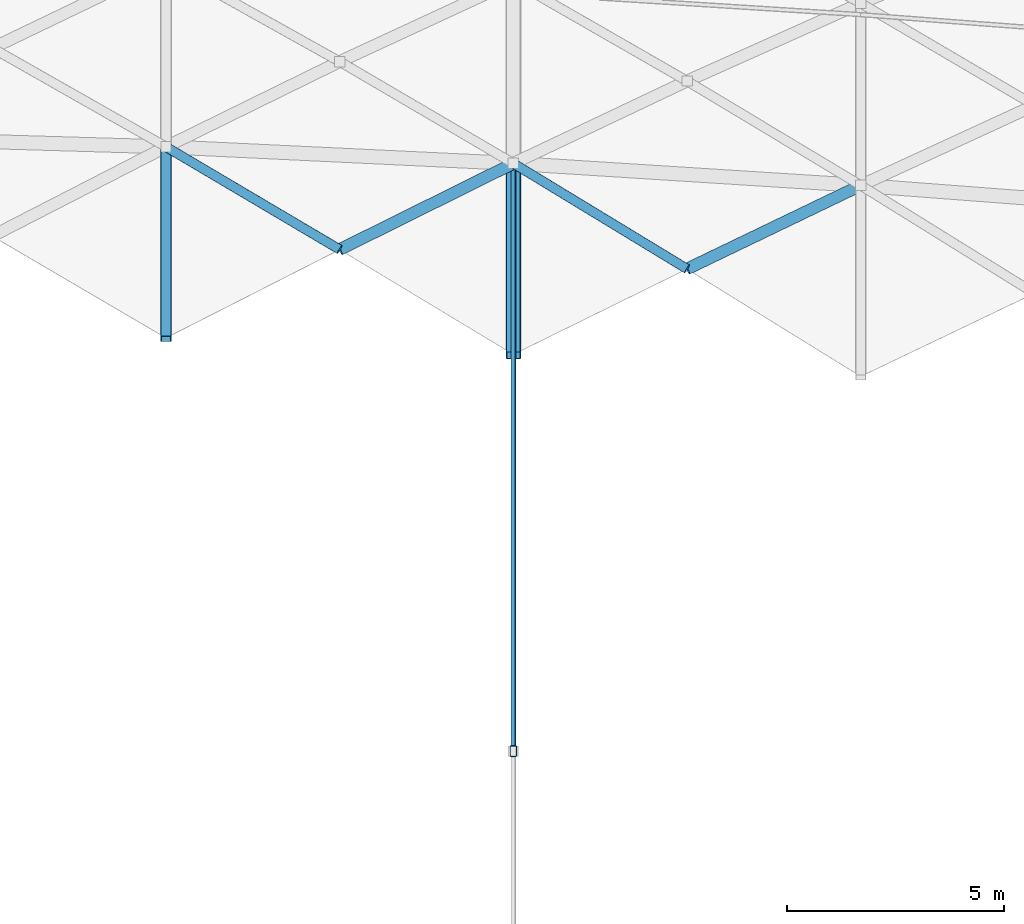
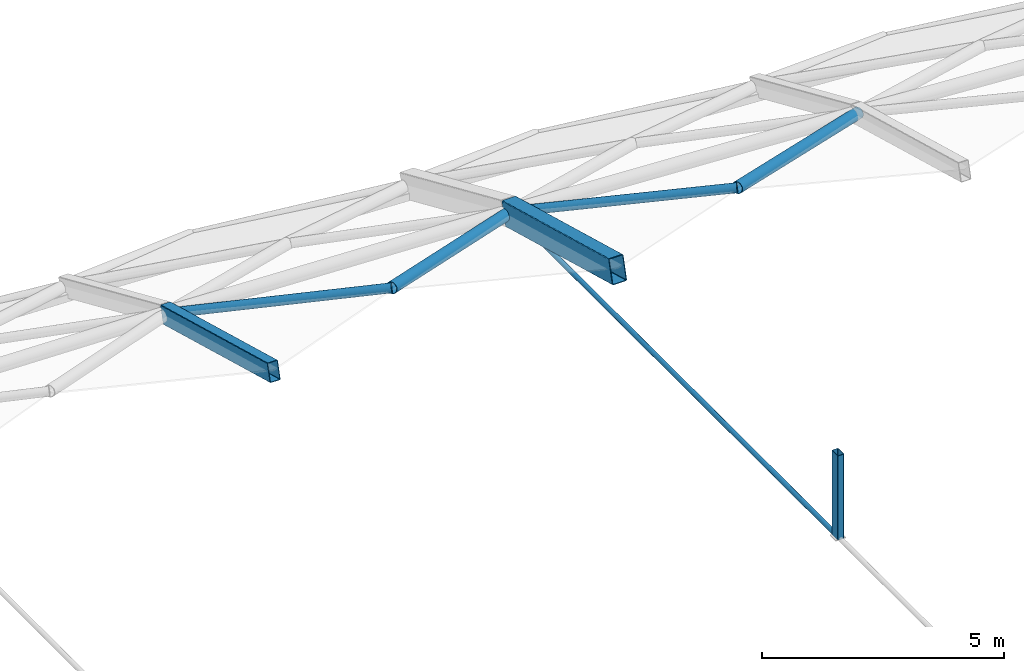
# One storey, part 12 of 54: 6 members, 2 beams.
"""IFC4 building model written with IfcOpenShell, lengths in metres."""

import ifcopenshell
import ifcopenshell.guid

model = None  # the IFC model being written
_history = None  # IfcOwnerHistory: only IFC2X3 demands one
_inside = {}  # id of a spatial element -> (the spatial element, [elements in it])
_under = {}  # id of a project, library or spatial element -> (it, [spatial elements below it])
_declared = {}  # id of a project -> (the project, [libraries it declares])
_typed = {}  # id of a type object -> (the type object, [elements of that type])
_made_of = {}  # id of a material, layer set ... -> (it, [elements and type objects made of it])


def new_model(schema):
    """Start an empty IFC model of exactly this schema.

    Asked for "IFC4X3", IfcOpenShell would pick the latest addendum, in which some entities
    have other attributes; the version numbers below select the first issue.
    IFC2X3 requires an IfcOwnerHistory on every rooted entity: one is made here for all.
    """
    global model, _history
    if schema == "IFC4X3":
        model = ifcopenshell.file(schema_version=(4, 3, 0, 0))
    else:
        model = ifcopenshell.file(schema=schema)
    _inside.clear()
    _under.clear()
    _declared.clear()
    _typed.clear()
    _made_of.clear()
    _history = None
    if model.schema == "IFC2X3":
        org = make("IfcOrganization", Name="unknown")
        user = make(
            "IfcPersonAndOrganization",
            ThePerson=make("IfcPerson", FamilyName="unknown"),
            TheOrganization=org,
        )
        app = make(
            "IfcApplication",
            ApplicationDeveloper=org,
            Version="unknown",
            ApplicationFullName="unknown",
            ApplicationIdentifier="unknown",
        )
        _history = make(
            "IfcOwnerHistory",
            OwningUser=user,
            OwningApplication=app,
            ChangeAction="ADDED",
            CreationDate=0,
        )
    return model


def make(cls, **values):
    """One entity of the class cls with the attributes given. An attribute that is None is left unset."""
    return model.create_entity(
        cls, **{name: value for name, value in values.items() if value is not None}
    )


def rooted(cls, **values):
    """An entity with a GlobalId (a new one), such as an element, a storey or a relation."""
    return make(cls, GlobalId=ifcopenshell.guid.new(), OwnerHistory=_history, **values)


def si_unit(unit_type, name, prefix=None):
    """IfcSIUnit, for example si_unit("LENGTHUNIT", "METRE", prefix="MILLI")."""
    return make("IfcSIUnit", UnitType=unit_type, Prefix=prefix, Name=name)


def assignment(units):
    """IfcUnitAssignment: the units of a project."""
    return None if units is None else make("IfcUnitAssignment", Units=units)


def point(xyz):
    """IfcCartesianPoint."""
    return None if xyz is None else make("IfcCartesianPoint", Coordinates=xyz)


def direction(xyz):
    """IfcDirection."""
    return None if xyz is None else make("IfcDirection", DirectionRatios=xyz)


def frame(location, z_axis=None, x_axis=None):
    """IfcAxis2Placement3D, a coordinate frame: its origin and axes. An axis left out is left unset."""
    return make(
        "IfcAxis2Placement3D",
        Location=point(location),
        Axis=direction(z_axis),
        RefDirection=direction(x_axis),
    )


def frame_2d(location, x_axis=None):
    """IfcAxis2Placement2D, a coordinate frame in the plane: its origin and x axis."""
    return make(
        "IfcAxis2Placement2D", Location=point(location), RefDirection=direction(x_axis)
    )


def origin():
    """The frame at (0, 0, 0) with its axes left unset."""
    return frame((0.0, 0.0, 0.0))


def origin_2d():
    """The frame at (0, 0) in the plane with its x axis left unset."""
    return frame_2d((0.0, 0.0))


def place(relative_to, where):
    """IfcLocalPlacement: puts the frame where relative to a parent placement (None: the world)."""
    return make(
        "IfcLocalPlacement", PlacementRelTo=relative_to, RelativePlacement=where
    )


def context(
    kind, dimensions, precision=None, world=None, true_north=None, identifier=None
):
    """IfcGeometricRepresentationContext, for example the 3D "Model" context."""
    return make(
        "IfcGeometricRepresentationContext",
        ContextIdentifier=identifier,
        ContextType=kind,
        CoordinateSpaceDimension=dimensions,
        Precision=precision,
        WorldCoordinateSystem=world,
        TrueNorth=true_north,
    )


def subcontext(parent, identifier, kind, view, scale=None):
    """IfcGeometricRepresentationSubContext, for example "Body" below "Model"."""
    return make(
        "IfcGeometricRepresentationSubContext",
        ContextIdentifier=identifier,
        ContextType=kind,
        ParentContext=parent,
        TargetScale=scale,
        TargetView=view,
    )


def project(units=None, contexts=None):
    """IfcProject with its units and contexts."""
    return rooted(
        "IfcProject",
        Name="project",
        RepresentationContexts=contexts,
        UnitsInContext=assignment(units),
    )


def spatial(cls, under=None, at=None, **own):
    """A site, building, storey or space (cls), placed at a placement, below another one or the project."""
    s = rooted(cls, ObjectPlacement=at, **own)
    if under is not None:
        _under.setdefault(under.id(), (under, []))[1].append(s)
    return s


def profile(cls, at=None, kind="AREA", **sizes):
    """A parametric profile (cls). Its sizes go by their IFC names, for example OverallWidth=200.0."""
    return make(cls, ProfileType=kind, Position=at, **sizes)


def hollow_rectangle(**sizes):
    """IfcRectangleHollowProfileDef."""
    return profile("IfcRectangleHollowProfileDef", **sizes)


def hollow_circle(**sizes):
    """IfcCircleHollowProfileDef."""
    return profile("IfcCircleHollowProfileDef", **sizes)


def extrude(swept, where, along, depth):
    """IfcExtrudedAreaSolid: the profile swept, set in the frame where, extruded along a direction by depth."""
    return make(
        "IfcExtrudedAreaSolid",
        SweptArea=swept,
        Position=where,
        ExtrudedDirection=direction(along),
        Depth=depth,
    )


def shape(context_of_items, identifier, shape_type, items):
    """IfcShapeRepresentation: the items that make up one representation, for example the "Body"."""
    return make(
        "IfcShapeRepresentation",
        ContextOfItems=context_of_items,
        RepresentationIdentifier=identifier,
        RepresentationType=shape_type,
        Items=items,
    )


def material(Name=None, Category=None):
    """IfcMaterial."""
    return make("IfcMaterial", Name=Name, Category=Category)


def material_profile(
    of_material, cross_section, Name=None, Category=None, Priority=None
):
    """IfcMaterialProfile: a cross section and its material."""
    return make(
        "IfcMaterialProfile",
        Name=Name,
        Material=of_material,
        Profile=cross_section,
        Priority=Priority,
        Category=Category,
    )


def profile_set(profiles, Name=None, composite=None):
    """IfcMaterialProfileSet."""
    return make(
        "IfcMaterialProfileSet",
        Name=Name,
        MaterialProfiles=profiles,
        CompositeProfile=composite,
    )


def made_of(thing, what):
    """Note that an element or type object is made of a material, layer set ...; save() writes the relation."""
    if what is not None:
        _made_of.setdefault(what.id(), (what, []))[1].append(thing)
    return thing


def type_object(cls, material=None, **own):
    """A type object (cls), such as IfcWallType, which elements share."""
    return made_of(rooted(cls, **own), material)


def element(
    cls,
    number,
    at=None,
    inside=None,
    cuts=None,
    type_object=None,
    material=None,
    context=None,
    identifier="Body",
    shape_type=None,
    held_by="IfcProductDefinitionShape",
    body=None,
    shapes=None,
    **own,
):
    """One element of the class cls, such as IfcWall. Its Tag is "e" and its number.

    at: its placement. inside: the storey or other place that contains it. cuts: it is an
    opening in that element (IfcRelVoidsElement). A single representation is given by context,
    identifier, shape_type and body (its items); several are given by shapes. held_by: the class
    of the entity that holds the representations. save() writes the other relations.
    """
    e = rooted(cls, Tag="e%d" % number, ObjectPlacement=at, **own)
    if body is not None:
        shapes = [shape(context, identifier, shape_type, body)]
    if shapes is not None:
        e.Representation = make(held_by, Representations=shapes)
    if inside is not None:
        _inside.setdefault(inside.id(), (inside, []))[1].append(e)
    if cuts is not None:
        rooted(
            "IfcRelVoidsElement", RelatingBuildingElement=cuts, RelatedOpeningElement=e
        )
    if type_object is not None:
        _typed.setdefault(type_object.id(), (type_object, []))[1].append(e)
    return made_of(e, material)


def aggregate(whole, parts):
    """IfcRelAggregates: a whole, such as a stair, and the parts it consists of."""
    return rooted("IfcRelAggregates", RelatingObject=whole, RelatedObjects=parts)


def save(model, path):
    """Write the relations noted so far, then the file.

    IfcRelAggregates (storeys below a building ...), IfcRelContainedInSpatialStructure (elements
    in a storey), IfcRelDefinesByType, IfcRelAssociatesMaterial and IfcRelDeclares: one each for
    every whole, place, type object, material and project.
    """
    for whole, parts in _under.values():
        aggregate(whole, parts)
    for where, things in _inside.values():
        rooted(
            "IfcRelContainedInSpatialStructure",
            RelatedElements=things,
            RelatingStructure=where,
        )
    for kind, things in _typed.values():
        rooted("IfcRelDefinesByType", RelatedObjects=things, RelatingType=kind)
    for what, things in _made_of.values():
        rooted("IfcRelAssociatesMaterial", RelatedObjects=things, RelatingMaterial=what)
    for by, libraries in _declared.values():
        rooted("IfcRelDeclares", RelatingContext=by, RelatedDefinitions=libraries)
    model.write(path)


model = new_model("IFC4")

# Units and contexts
model_context = context("Model", 3, precision=1e-05, world=origin(), true_north=direction((0.0, 1.0)))
body_context = subcontext(model_context, "Body", "Model", "MODEL_VIEW")
ifc_project = project(units=[si_unit("LENGTHUNIT", "METRE"), si_unit("AREAUNIT", "SQUARE_METRE"), si_unit("VOLUMEUNIT", "CUBIC_METRE"), si_unit("PLANEANGLEUNIT", "RADIAN"), si_unit("MASSUNIT", "GRAM", prefix="KILO")], contexts=[model_context])

# Site, building, storey
site_placement = place(None, origin())
site = spatial("IfcSite", under=ifc_project, at=site_placement, CompositionType="ELEMENT")
building_placement = place(site_placement, origin())
building = spatial("IfcBuilding", under=site, at=building_placement, Name="Kenh Van Central Station", CompositionType="ELEMENT")
storey_placement = place(building_placement, frame((0.0, 0.0, 15.0)))
storey = spatial("IfcBuildingStorey", under=building, at=storey_placement, Name="L03", CompositionType="ELEMENT", Elevation=15.0)

# Beams
ifc_material = material(Name="White fluoropolymer structural steel S355", Category="steel")
ifc_material_profile_1 = material_profile(ifc_material, hollow_rectangle(XDim=0.35009765625, YDim=0.60009765625, WallThickness=0.01611328125, InnerFilletRadius=0.01611328125, OuterFilletRadius=0.031982421875, at=origin_2d()), Name="RHS 600x350x16")
ifc_profile_set_1 = profile_set([ifc_material_profile_1], Name="White fluoropolymer structural steel S355")
beam_type_1 = type_object("IfcBeamType", Name="BM-VAULT-ARCH600", PredefinedType="BEAM", material=ifc_profile_set_1)
beam_1_placement = place(storey_placement, frame((112.0, 99.614990234375, 5.28173828125), z_axis=(0.0, 0.964381836979, -0.264514030829), x_axis=(-1.0, 0.0, 0.0)))
element("IfcBeam", 1, at=beam_1_placement, inside=storey, type_object=beam_type_1, Name="Vault transverse arch 126", PredefinedType="BEAM", context=body_context, shape_type="SweptSolid", body=[
    extrude(hollow_rectangle(XDim=0.35009765625, YDim=0.60009765625, WallThickness=0.01611328125, InnerFilletRadius=0.01611328125, OuterFilletRadius=0.031982421875, at=origin_2d()), origin(), (0.0, 0.0, 1.0), 4.58447265625),
])
ifc_material_profile_2 = material_profile(ifc_material, hollow_rectangle(XDim=0.25, YDim=0.449951171875, WallThickness=0.012451171875, InnerFilletRadius=0.012451171875, OuterFilletRadius=0.02490234375, at=origin_2d()), Name="RHS 450x250x12.5")
ifc_profile_set_2 = profile_set([ifc_material_profile_2], Name="White fluoropolymer structural steel S355")
beam_type_2 = type_object("IfcBeamType", Name="BM-VAULT-SUB450", PredefinedType="BEAM", material=ifc_profile_set_2)
beam_2_placement = place(storey_placement, frame((104.0, 99.99609375, 5.28173828125), z_axis=(0.0, 0.96438556277, -0.26450044673), x_axis=(-1.0, 0.0, 0.0)))
element("IfcBeam", 2, at=beam_2_placement, inside=storey, type_object=beam_type_2, Name="Vault transverse arch 114", PredefinedType="BEAM", context=body_context, shape_type="SweptSolid", body=[
    extrude(hollow_rectangle(XDim=0.25, YDim=0.449951171875, WallThickness=0.012451171875, InnerFilletRadius=0.012451171875, OuterFilletRadius=0.02490234375, at=origin_2d()), origin(), (0.0, 0.0, 1.0), 4.584716796875),
])

# Members
ifc_material_profile_3 = material_profile(ifc_material, hollow_rectangle(XDim=0.14990234375, YDim=0.25, WallThickness=0.008056640625, InnerFilletRadius=0.008056640625, OuterFilletRadius=0.01611328125, at=origin_2d()), Name="RHS 250x150x8")
ifc_profile_set_3 = profile_set([ifc_material_profile_3], Name="White fluoropolymer structural steel S355")
member_type_1 = type_object("IfcMemberType", Name="MEM-STR-RHS250", PredefinedType="STRUT", material=ifc_profile_set_3)
member_1_placement = place(storey_placement, frame((112.0, 90.501953125, 4.069091796875), z_axis=(0.0, 0.0, 1.0), x_axis=(1.0, 0.0, 0.0)))
element("IfcMember", 3, at=member_1_placement, inside=storey, type_object=member_type_1, Name="Vault internal crown king strut 006", PredefinedType="STRUT", context=body_context, shape_type="SweptSolid", body=[
    extrude(hollow_rectangle(XDim=0.14990234375, YDim=0.25, WallThickness=0.008056640625, InnerFilletRadius=0.008056640625, OuterFilletRadius=0.01611328125, at=origin_2d()), origin(), (0.0, 0.0, 1.0), 2.130859375),
])
ifc_material_profile_4 = material_profile(ifc_material, hollow_circle(Radius=0.109619140625, WallThickness=0.008056640625, at=origin_2d()), Name="CHS 219.1x8")
ifc_profile_set_4 = profile_set([ifc_material_profile_4], Name="White fluoropolymer structural steel S355")
member_type_2 = type_object("IfcMemberType", Name="MEM-VAULT-BRC219", PredefinedType="BRACE", material=ifc_profile_set_4)
member_2_placement = place(storey_placement, frame((104.0, 104.41748046875, 4.069091796875), z_axis=(0.851819010436, -0.503635910284, 0.144066801631), x_axis=(0.50894524507, 0.860798894934, 0.0)))
element("IfcMember", 4, at=member_2_placement, inside=storey, type_object=member_type_2, Name="Vault diamond grid member 0435", PredefinedType="BRACE", context=body_context, shape_type="SweptSolid", body=[
    extrude(hollow_circle(Radius=0.109619140625, WallThickness=0.008056640625, at=origin_2d()), origin(), (0.0, 0.0, 1.0), 4.69580078125),
])
member_3_placement = place(storey_placement, frame((112.0, 104.0361328125, 4.069091796875), z_axis=(0.845822648009, -0.513926053524, 0.14305264634), x_axis=(0.519266669469, 0.854612266457, 0.0)))
element("IfcMember", 5, at=member_3_placement, inside=storey, type_object=member_type_2, Name="Vault diamond grid member 0483", PredefinedType="BRACE", context=body_context, shape_type="SweptSolid", body=[
    extrude(hollow_circle(Radius=0.109619140625, WallThickness=0.008056640625, at=origin_2d()), origin(), (0.0, 0.0, 1.0), 4.72900390625),
])
ifc_material_profile_5 = material_profile(ifc_material, hollow_circle(Radius=0.05712890625, WallThickness=0.010009765625, at=origin_2d()), Name="CHS 114.3x10")
ifc_profile_set_5 = profile_set([ifc_material_profile_5], Name="White fluoropolymer structural steel S355")
member_type_3 = type_object("IfcMemberType", Name="MEM-VAULT-CBL114", PredefinedType="BRACE", material=ifc_profile_set_5)
member_4_placement = place(storey_placement, frame((112.0, 90.501953125, 4.069091796875), z_axis=(0.0, 1.0, 0.0), x_axis=(-1.0, 0.0, 0.0)))
element("IfcMember", 6, at=member_4_placement, inside=storey, type_object=member_type_3, Name="Vault internal bowstring tension tie 12", PredefinedType="BRACE", context=body_context, shape_type="SweptSolid", body=[
    extrude(hollow_circle(Radius=0.05712890625, WallThickness=0.010009765625, at=origin_2d()), origin(), (0.0, 0.0, 1.0), 13.5341796875),
])
ifc_material_profile_6 = material_profile(ifc_material, hollow_circle(Radius=0.136474609375, WallThickness=0.010009765625, at=origin_2d()), Name="CHS 273x10")
ifc_profile_set_6 = profile_set([ifc_material_profile_6], Name="White fluoropolymer structural steel S355")
member_type_4 = type_object("IfcMemberType", Name="MEM-VAULT-CHD273", PredefinedType="CHORD", material=ifc_profile_set_6)
member_5_placement = place(storey_placement, frame((108.0, 102.052490234375, 4.74560546875), z_axis=(0.885777539956, 0.439266510751, -0.149810154005), x_axis=(-0.444280311455, 0.895887830509, 0.0)))
element("IfcMember", 7, at=member_5_placement, inside=storey, type_object=member_type_4, Name="Vault diamond grid member 0457", PredefinedType="CHORD", context=body_context, shape_type="SweptSolid", body=[
    extrude(hollow_circle(Radius=0.136474609375, WallThickness=0.010009765625, at=origin_2d()), origin(), (0.0, 0.0, 1.0), 4.515869140625),
])
member_6_placement = place(storey_placement, frame((116.0, 101.605712890625, 4.74560546875), z_axis=(0.890897644125, 0.428483486066, -0.150676109123), x_axis=(-0.433431898641, 0.901186323265, 0.0)))
element("IfcMember", 8, at=member_6_placement, inside=storey, type_object=member_type_4, Name="Vault diamond grid member 0505", PredefinedType="CHORD", context=body_context, shape_type="SweptSolid", body=[
    extrude(hollow_circle(Radius=0.136474609375, WallThickness=0.010009765625, at=origin_2d()), origin(), (0.0, 0.0, 1.0), 4.48974609375),
])

save(model, "model.ifc")
